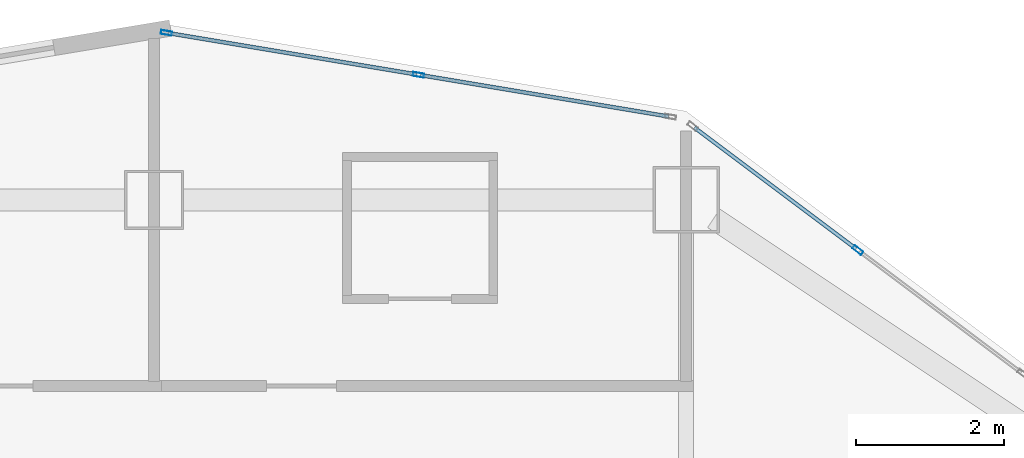
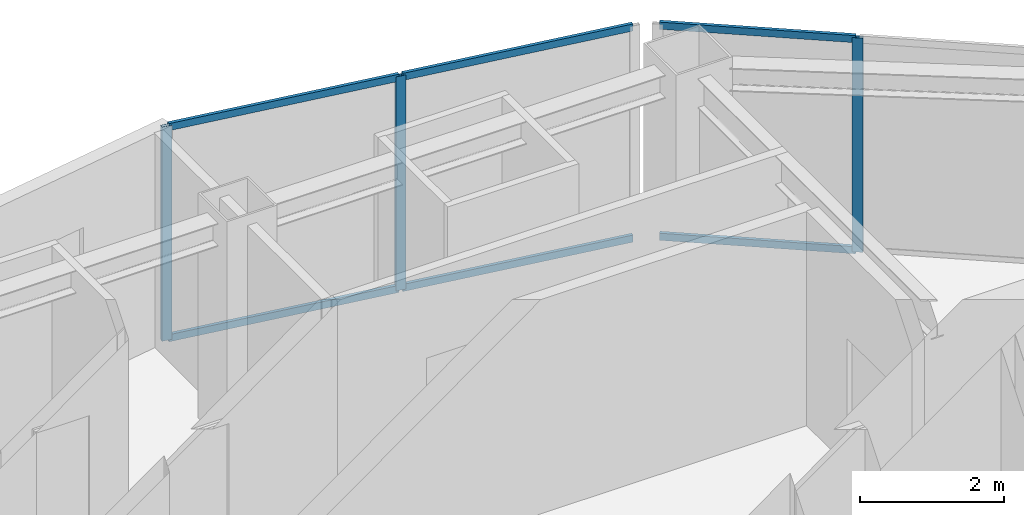
# One storey, part 2 of 12: 9 members, 2 elements without a shape of their own.
"""IFC4 building model written with IfcOpenShell, lengths in metres."""

from ifc_helpers import new_model, si_unit, direction, frame, origin, origin_2d, place, context, subcontext, project, spatial, hollow_rectangle, extrude, material, layer, layer_set, material_profile, profile_set, type_object, element, aggregate, save


model = new_model("IFC4")

# Units and contexts
model_context = context("Model", 3, precision=1e-05, world=origin(), true_north=direction((0.0, 1.0)))
body_context = subcontext(model_context, "Body", "Model", "MODEL_VIEW")
ifc_project = project(units=[si_unit("LENGTHUNIT", "METRE"), si_unit("AREAUNIT", "SQUARE_METRE"), si_unit("VOLUMEUNIT", "CUBIC_METRE"), si_unit("PLANEANGLEUNIT", "RADIAN"), si_unit("MASSUNIT", "GRAM", prefix="KILO")], contexts=[model_context])

# Site, building, storey
site_placement = place(None, origin())
site = spatial("IfcSite", under=ifc_project, at=site_placement, CompositionType="ELEMENT")
building_placement = place(site_placement, origin())
building = spatial("IfcBuilding", under=site, at=building_placement, Name="Haolan Belvedere Tower", CompositionType="ELEMENT")
storey_placement = place(building_placement, frame((0.0, 0.0, 195.60009765625)))
storey = spatial("IfcBuildingStorey", under=building, at=storey_placement, Name="L49", CompositionType="ELEMENT", Elevation=195.60009765625)

# Curtain wall, member
ifc_material_1 = material(Name="Anodised champagne-silver aluminium 6063-T6 and Low-E glass", Category="aluminium")
ifc_layer = layer(ifc_material_1, 0.14990234375, Name="Anodised champagne-silver aluminium 6063-T6 and Low-E glass")
ifc_layer_set = layer_set([ifc_layer], Name="Anodised champagne-silver aluminium 6063-T6 and Low-E glass")
curtain_wall_type = type_object("IfcCurtainWallType", Name="CW-SYS-04", PredefinedType="NOTDEFINED", material=ifc_layer_set)
curtain_wall_1_placement = place(storey_placement, origin())
curtain_wall_1 = element("IfcCurtainWall", 1, at=curtain_wall_1_placement, inside=storey, type_object=curtain_wall_type, Name="L49 CW-SYS-04 ribbon curtain wall 20.1", PredefinedType="NOTDEFINED")
ifc_material_2 = material(Name="Anodised aluminium 6063-T6", Category="aluminium")
ifc_material_profile_1 = material_profile(ifc_material_2, hollow_rectangle(XDim=0.055908203125, YDim=0.14990234375, WallThickness=0.00390625, at=origin_2d()), Name="Anodised aluminium 6063-T6")
ifc_profile_set_1 = profile_set([ifc_material_profile_1], Name="Anodised aluminium 6063-T6")
member_type_1 = type_object("IfcMemberType", Name="CW-SYS-04-MUL", PredefinedType="MULLION", material=ifc_profile_set_1)
member_1_placement = place(storey_placement, frame((47.9228515625, 49.720458984375, 0.0), z_axis=(0.0, 0.0, 1.0), x_axis=(-0.600002837806, -0.799997871638, 0.0)))
member_1 = element("IfcMember", 2, at=member_1_placement, type_object=member_type_1, Name="CW-04 mullion 2", PredefinedType="MULLION", context=body_context, shape_type="SweptSolid", body=[
    extrude(hollow_rectangle(XDim=0.055908203125, YDim=0.14990234375, WallThickness=0.00390625, at=origin_2d()), origin(), (0.0, 0.0, 1.0), 3.619873046875),
])

# Curtain wall, members
curtain_wall_2_placement = place(storey_placement, origin())
curtain_wall_2 = element("IfcCurtainWall", 3, at=curtain_wall_2_placement, inside=storey, type_object=curtain_wall_type, Name="L49 CW-SYS-04 ribbon curtain wall 21.1", PredefinedType="NOTDEFINED")
member_2_placement = place(storey_placement, frame((41.977783203125, 52.09228515625, 0.0), z_axis=(0.0, 0.0, 1.0), x_axis=(-0.164405962825, -0.98639276122, 0.0)))
member_2 = element("IfcMember", 4, at=member_2_placement, type_object=member_type_1, Name="CW-04 mullion 2", PredefinedType="MULLION", context=body_context, shape_type="SweptSolid", body=[
    extrude(hollow_rectangle(XDim=0.055908203125, YDim=0.14990234375, WallThickness=0.00390625, at=origin_2d()), origin(), (0.0, 0.0, 1.0), 3.619873046875),
])
member_3_placement = place(storey_placement, frame((38.565673828125, 52.660888671875, 0.0), z_axis=(0.0, 0.0, 1.0), x_axis=(-0.164405962825, -0.98639276122, 0.0)))
member_3 = element("IfcMember", 5, at=member_3_placement, type_object=member_type_1, Name="CW-04 mullion 3", PredefinedType="MULLION", context=body_context, shape_type="SweptSolid", body=[
    extrude(hollow_rectangle(XDim=0.055908203125, YDim=0.14990234375, WallThickness=0.00390625, at=origin_2d()), origin(), (0.0, 0.0, 1.0), 3.619873046875),
])

# Member
ifc_material_profile_2 = material_profile(ifc_material_2, hollow_rectangle(XDim=0.052001953125, YDim=0.1201171875, WallThickness=0.00390625, at=origin_2d()), Name="Anodised aluminium 6063-T6")
ifc_profile_set_2 = profile_set([ifc_material_profile_2], Name="Anodised aluminium 6063-T6")
member_type_2 = type_object("IfcMemberType", Name="CW-SYS-04-TRN", PredefinedType="USERDEFINED", material=ifc_profile_set_2)
member_4_placement = place(storey_placement, frame((47.900390625, 49.7373046875, 0.02587890625), z_axis=(-0.799978576274, 0.600028563905, 0.0), x_axis=(-0.600028563905, -0.799978576274, 0.0)))
member_4 = element("IfcMember", 6, at=member_4_placement, type_object=member_type_2, Name="CW-04 transom 2.1", ObjectType="TRANSOM", PredefinedType="USERDEFINED", context=body_context, shape_type="SweptSolid", body=[
    extrude(hollow_rectangle(XDim=0.052001953125, YDim=0.1201171875, WallThickness=0.00390625, at=origin_2d()), origin(), (0.0, 0.0, 1.0), 2.735107421875),
])

member_5_placement = place(storey_placement, frame((47.900390625, 49.7373046875, 3.593994140625), z_axis=(-0.799978576274, 0.600028563905, 0.0), x_axis=(-0.600028563905, -0.799978576274, 0.0)))
member_5 = element("IfcMember", 7, at=member_5_placement, type_object=member_type_2, Name="CW-04 transom 2.2", ObjectType="TRANSOM", PredefinedType="USERDEFINED", context=body_context, shape_type="SweptSolid", body=[
    extrude(hollow_rectangle(XDim=0.052001953125, YDim=0.1201171875, WallThickness=0.00390625, at=origin_2d()), origin(), (0.0, 0.0, 1.0), 2.735107421875),
])

aggregate(curtain_wall_1, [member_1, member_4, member_5])

member_6_placement = place(storey_placement, frame((45.362060546875, 51.528076171875, 0.02587890625), z_axis=(-0.986388106252, 0.164433888976, 0.0), x_axis=(-0.164433888976, -0.986388106252, 0.0)))
member_6 = element("IfcMember", 8, at=member_6_placement, type_object=member_type_2, Name="CW-04 transom 1.1", ObjectType="TRANSOM", PredefinedType="USERDEFINED", context=body_context, shape_type="SweptSolid", body=[
    extrude(hollow_rectangle(XDim=0.052001953125, YDim=0.1201171875, WallThickness=0.00390625, at=origin_2d()), origin(), (0.0, 0.0, 1.0), 3.403076171875),
])

member_7_placement = place(storey_placement, frame((45.362060546875, 51.528076171875, 3.593994140625), z_axis=(-0.986388106252, 0.164433888976, 0.0), x_axis=(-0.164433888976, -0.986388106252, 0.0)))
member_7 = element("IfcMember", 9, at=member_7_placement, type_object=member_type_2, Name="CW-04 transom 1.2", ObjectType="TRANSOM", PredefinedType="USERDEFINED", context=body_context, shape_type="SweptSolid", body=[
    extrude(hollow_rectangle(XDim=0.052001953125, YDim=0.1201171875, WallThickness=0.00390625, at=origin_2d()), origin(), (0.0, 0.0, 1.0), 3.403076171875),
])

member_8_placement = place(storey_placement, frame((41.9501953125, 52.096923828125, 0.02587890625), z_axis=(-0.986401678227, 0.164352454169, 0.0), x_axis=(-0.164352454169, -0.986401678227, 0.0)))
member_8 = element("IfcMember", 10, at=member_8_placement, type_object=member_type_2, Name="CW-04 transom 2.1", ObjectType="TRANSOM", PredefinedType="USERDEFINED", context=body_context, shape_type="SweptSolid", body=[
    extrude(hollow_rectangle(XDim=0.052001953125, YDim=0.1201171875, WallThickness=0.00390625, at=origin_2d()), origin(), (0.0, 0.0, 1.0), 3.4033203125),
])

member_9_placement = place(storey_placement, frame((41.9501953125, 52.096923828125, 3.593994140625), z_axis=(-0.986401678227, 0.164352454169, 0.0), x_axis=(-0.164352454169, -0.986401678227, 0.0)))
member_9 = element("IfcMember", 11, at=member_9_placement, type_object=member_type_2, Name="CW-04 transom 2.2", ObjectType="TRANSOM", PredefinedType="USERDEFINED", context=body_context, shape_type="SweptSolid", body=[
    extrude(hollow_rectangle(XDim=0.052001953125, YDim=0.1201171875, WallThickness=0.00390625, at=origin_2d()), origin(), (0.0, 0.0, 1.0), 3.4033203125),
])

aggregate(curtain_wall_2, [member_2, member_3, member_6, member_7, member_8, member_9])

save(model, "model.ifc")
